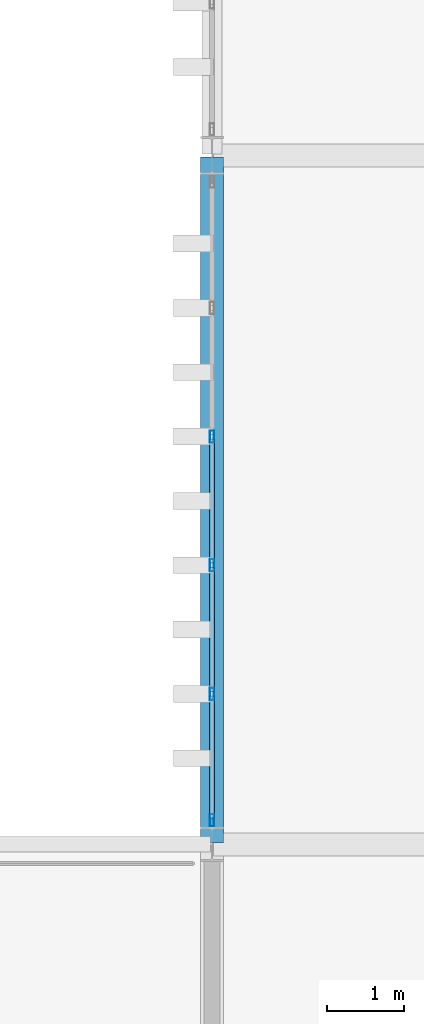
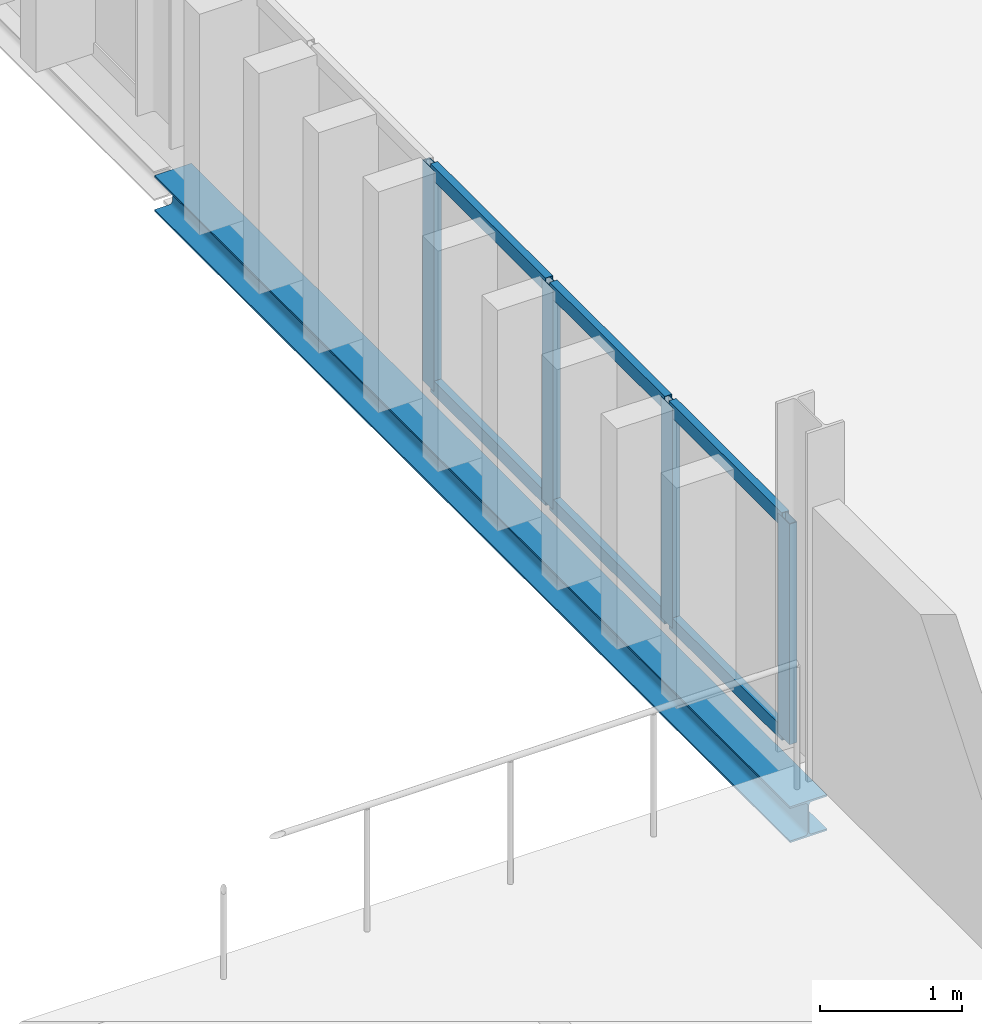
# One storey, part 19 of 58: 10 members, 1 beam, 1 element without a shape of its own.
"""IFC4 building model written with IfcOpenShell, lengths in metres."""

from ifc_helpers import new_model, si_unit, direction, frame, origin, origin_2d, place, context, subcontext, project, spatial, hollow_rectangle, i_section, extrude, material, layer, layer_set, material_profile, profile_set, type_object, element, aggregate, save


model = new_model("IFC4")

# Units and contexts
model_context = context("Model", 3, precision=1e-05, world=origin(), true_north=direction((0.0, 1.0)))
body_context = subcontext(model_context, "Body", "Model", "MODEL_VIEW")
ifc_project = project(units=[si_unit("LENGTHUNIT", "METRE"), si_unit("AREAUNIT", "SQUARE_METRE"), si_unit("VOLUMEUNIT", "CUBIC_METRE"), si_unit("PLANEANGLEUNIT", "RADIAN"), si_unit("MASSUNIT", "GRAM", prefix="KILO")], contexts=[model_context])

# Site, building, storey
site_placement = place(None, origin())
site = spatial("IfcSite", under=ifc_project, at=site_placement, CompositionType="ELEMENT")
building_placement = place(site_placement, origin())
building = spatial("IfcBuilding", under=site, at=building_placement, Name="Barlavento Convention Centre", CompositionType="ELEMENT")
storey_placement = place(building_placement, frame((0.0, 0.0, 26.800048828125)))
storey = spatial("IfcBuildingStorey", under=building, at=storey_placement, Name="L05", CompositionType="ELEMENT", Elevation=26.800048828125)

# Curtain wall, members
ifc_material_1 = material(Name="Powder-coated aluminium and Low-E glass", Category="aluminium")
ifc_layer = layer(ifc_material_1, 0.18994140625)
ifc_layer_set = layer_set([ifc_layer], Name="ARC-CW-CONF-L05")
curtain_wall_type = type_object("IfcCurtainWallType", Name="ARC-CW-CONF-L05", PredefinedType="NOTDEFINED", material=ifc_layer_set)
curtain_wall_placement = place(storey_placement, origin())
curtain_wall = element("IfcCurtainWall", 1, at=curtain_wall_placement, inside=storey, type_object=curtain_wall_type, Name="L05 unitised curtain wall CW10", PredefinedType="NOTDEFINED")
ifc_material_2 = material(Name="Powder-coated aluminium", Category="aluminium")
ifc_material_profile_1 = material_profile(ifc_material_2, hollow_rectangle(XDim=0.06005859375, YDim=0.159912109375, WallThickness=0.00390625, at=origin_2d()), Name="AL-MULL 60x160x4")
ifc_profile_set_1 = profile_set([ifc_material_profile_1], Name="Powder-coated aluminium")
member_type_1 = type_object("IfcMemberType", Name="ARC-CWM-60X160", PredefinedType="MULLION", material=ifc_profile_set_1)
member_1_placement = place(storey_placement, frame((171.0, 54.31494140625, 0.0), z_axis=(0.0, 0.0, 1.0), x_axis=(-1.0, 0.0, 0.0)))
member_1 = element("IfcMember", 2, at=member_1_placement, type_object=member_type_1, Name="CW10 mullion 1", PredefinedType="MULLION", context=body_context, shape_type="SweptSolid", body=[
    extrude(hollow_rectangle(XDim=0.06005859375, YDim=0.159912109375, WallThickness=0.00390625, at=origin_2d()), origin(), (0.0, 0.0, 1.0), 1.89990234375),
])
member_2_placement = place(storey_placement, frame((171.0, 55.966064453125, 0.0), z_axis=(0.0, 0.0, 1.0), x_axis=(-1.0, 0.0, 0.0)))
member_2 = element("IfcMember", 3, at=member_2_placement, type_object=member_type_1, Name="CW10 mullion 2", PredefinedType="MULLION", context=body_context, shape_type="SweptSolid", body=[
    extrude(hollow_rectangle(XDim=0.06005859375, YDim=0.159912109375, WallThickness=0.00390625, at=origin_2d()), origin(), (0.0, 0.0, 1.0), 1.89990234375),
])
member_3_placement = place(storey_placement, frame((171.0, 57.64697265625, 0.0), z_axis=(0.0, 0.0, 1.0), x_axis=(-1.0, 0.0, 0.0)))
member_3 = element("IfcMember", 4, at=member_3_placement, type_object=member_type_1, Name="CW10 mullion 3", PredefinedType="MULLION", context=body_context, shape_type="SweptSolid", body=[
    extrude(hollow_rectangle(XDim=0.06005859375, YDim=0.159912109375, WallThickness=0.00390625, at=origin_2d()), origin(), (0.0, 0.0, 1.0), 1.89990234375),
])
member_4_placement = place(storey_placement, frame((171.0, 59.327880859375, 0.0), z_axis=(0.0, 0.0, 1.0), x_axis=(-1.0, 0.0, 0.0)))
member_4 = element("IfcMember", 5, at=member_4_placement, type_object=member_type_1, Name="CW10 mullion 4", PredefinedType="MULLION", context=body_context, shape_type="SweptSolid", body=[
    extrude(hollow_rectangle(XDim=0.06005859375, YDim=0.159912109375, WallThickness=0.00390625, at=origin_2d()), origin(), (0.0, 0.0, 1.0), 1.89990234375),
])
ifc_material_profile_2 = material_profile(ifc_material_2, hollow_rectangle(XDim=0.06005859375, YDim=0.1201171875, WallThickness=0.00390625, at=origin_2d()), Name="AL-TRAN 60x120x4")
ifc_profile_set_2 = profile_set([ifc_material_profile_2], Name="Powder-coated aluminium")
member_type_2 = type_object("IfcMemberType", Name="ARC-CWT-60X120", PredefinedType="USERDEFINED", material=ifc_profile_set_2)
member_5_placement = place(storey_placement, frame((171.0, 54.344970703125, 0.030029296875), z_axis=(0.0, 1.0, 0.0), x_axis=(-1.0, 0.0, 0.0)))
member_5 = element("IfcMember", 6, at=member_5_placement, type_object=member_type_2, Name="CW10 transom 1.1", ObjectType="TRANSOM", PredefinedType="USERDEFINED", context=body_context, shape_type="SweptSolid", body=[
    extrude(hollow_rectangle(XDim=0.06005859375, YDim=0.1201171875, WallThickness=0.00390625, at=origin_2d()), origin(), (0.0, 0.0, 1.0), 1.591064453125),
])
member_6_placement = place(storey_placement, frame((171.0, 54.344970703125, 1.869873046875), z_axis=(0.0, 1.0, 0.0), x_axis=(-1.0, 0.0, 0.0)))
member_6 = element("IfcMember", 7, at=member_6_placement, type_object=member_type_2, Name="CW10 transom 1.2", ObjectType="TRANSOM", PredefinedType="USERDEFINED", context=body_context, shape_type="SweptSolid", body=[
    extrude(hollow_rectangle(XDim=0.06005859375, YDim=0.1201171875, WallThickness=0.00390625, at=origin_2d()), origin(), (0.0, 0.0, 1.0), 1.591064453125),
])
member_7_placement = place(storey_placement, frame((171.0, 55.99609375, 0.030029296875), z_axis=(0.0, 1.0, 0.0), x_axis=(-1.0, 0.0, 0.0)))
member_7 = element("IfcMember", 8, at=member_7_placement, type_object=member_type_2, Name="CW10 transom 2.1", ObjectType="TRANSOM", PredefinedType="USERDEFINED", context=body_context, shape_type="SweptSolid", body=[
    extrude(hollow_rectangle(XDim=0.06005859375, YDim=0.1201171875, WallThickness=0.00390625, at=origin_2d()), origin(), (0.0, 0.0, 1.0), 1.620849609375),
])
member_8_placement = place(storey_placement, frame((171.0, 55.99609375, 1.869873046875), z_axis=(0.0, 1.0, 0.0), x_axis=(-1.0, 0.0, 0.0)))
member_8 = element("IfcMember", 9, at=member_8_placement, type_object=member_type_2, Name="CW10 transom 2.2", ObjectType="TRANSOM", PredefinedType="USERDEFINED", context=body_context, shape_type="SweptSolid", body=[
    extrude(hollow_rectangle(XDim=0.06005859375, YDim=0.1201171875, WallThickness=0.00390625, at=origin_2d()), origin(), (0.0, 0.0, 1.0), 1.620849609375),
])
member_9_placement = place(storey_placement, frame((171.0, 57.677001953125, 0.030029296875), z_axis=(0.0, 1.0, 0.0), x_axis=(-1.0, 0.0, 0.0)))
member_9 = element("IfcMember", 10, at=member_9_placement, type_object=member_type_2, Name="CW10 transom 3.1", ObjectType="TRANSOM", PredefinedType="USERDEFINED", context=body_context, shape_type="SweptSolid", body=[
    extrude(hollow_rectangle(XDim=0.06005859375, YDim=0.1201171875, WallThickness=0.00390625, at=origin_2d()), origin(), (0.0, 0.0, 1.0), 1.62109375),
])
member_10_placement = place(storey_placement, frame((171.0, 57.677001953125, 1.869873046875), z_axis=(0.0, 1.0, 0.0), x_axis=(-1.0, 0.0, 0.0)))
member_10 = element("IfcMember", 11, at=member_10_placement, type_object=member_type_2, Name="CW10 transom 3.2", ObjectType="TRANSOM", PredefinedType="USERDEFINED", context=body_context, shape_type="SweptSolid", body=[
    extrude(hollow_rectangle(XDim=0.06005859375, YDim=0.1201171875, WallThickness=0.00390625, at=origin_2d()), origin(), (0.0, 0.0, 1.0), 1.62109375),
])
aggregate(curtain_wall, [member_1, member_2, member_3, member_4, member_5, member_6, member_7, member_8, member_9, member_10])

# Beam
ifc_material_3 = material(Name="Steel S355", Category="steel")
ifc_material_profile_3 = material_profile(ifc_material_3, i_section(OverallWidth=0.300048828125, OverallDepth=0.31005859375, WebThickness=0.009033203125, FlangeThickness=0.015380859375, FilletRadius=0.027099609375, at=origin_2d()), Name="HEA 320")
ifc_profile_set_3 = profile_set([ifc_material_profile_3], Name="Steel S355")
beam_type = type_object("IfcBeamType", Name="STR-BM-SPN-HEA320", PredefinedType="SPANDREL", material=ifc_profile_set_3)
beam_placement = place(storey_placement, frame((171.0, 54.02001953125, -0.51513671875), z_axis=(0.0, 1.0, 0.0), x_axis=(-1.0, 0.0, 0.0)))
element("IfcBeam", 12, at=beam_placement, inside=storey, type_object=beam_type, Name="L05 grid girder SP01", PredefinedType="SPANDREL", context=body_context, shape_type="SweptSolid", body=[
    extrude(i_section(OverallWidth=0.300048828125, OverallDepth=0.31005859375, WebThickness=0.009033203125, FlangeThickness=0.015380859375, FilletRadius=0.027099609375, at=origin_2d()), origin(), (0.0, 0.0, 1.0), 8.9599609375),
])

save(model, "model.ifc")
